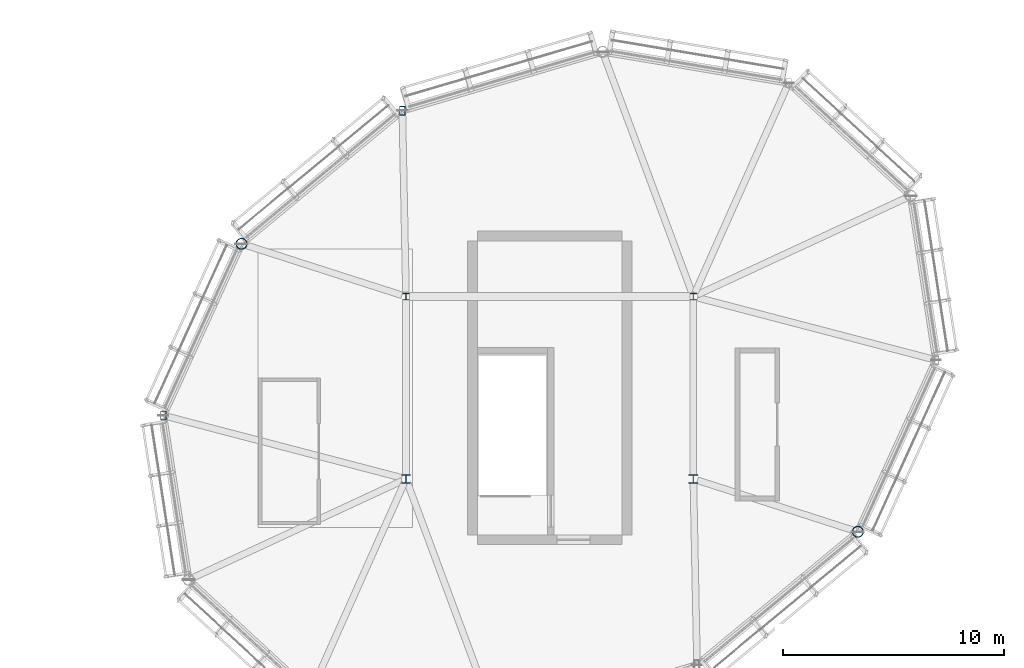
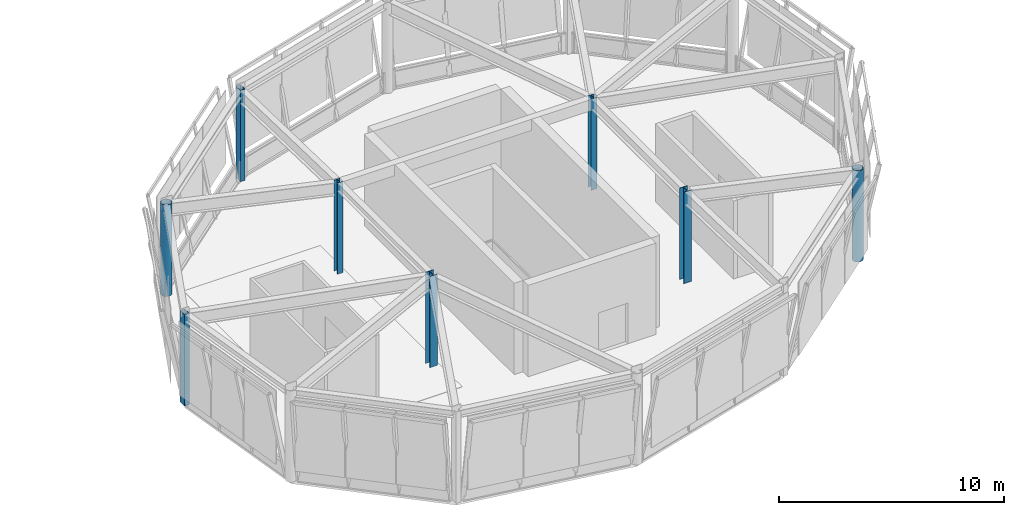
# One storey, part 12 of 113: 8 columns.
"""IFC4 building model written with IfcOpenShell, lengths in metres."""

from ifc_helpers import new_model, si_unit, direction, frame, origin, origin_2d, place, context, subcontext, project, spatial, hollow_rectangle, hollow_circle, i_section, extrude, material, material_profile, profile_set, type_object, element, save


model = new_model("IFC4")

# Units and contexts
model_context = context("Model", 3, precision=1e-05, world=origin(), true_north=direction((0.0, 1.0)))
body_context = subcontext(model_context, "Body", "Model", "MODEL_VIEW")
ifc_project = project(units=[si_unit("LENGTHUNIT", "METRE"), si_unit("AREAUNIT", "SQUARE_METRE"), si_unit("VOLUMEUNIT", "CUBIC_METRE"), si_unit("PLANEANGLEUNIT", "RADIAN"), si_unit("MASSUNIT", "GRAM", prefix="KILO")], contexts=[model_context])

# Site, building, storey
site_placement = place(None, origin())
site = spatial("IfcSite", under=ifc_project, at=site_placement, CompositionType="ELEMENT")
building_placement = place(site_placement, origin())
building = spatial("IfcBuilding", under=site, at=building_placement, Name="Linyun Crest Stadium", CompositionType="ELEMENT")
storey_placement = place(building_placement, frame((0.0, 0.0, 26.39990234375)))
storey = spatial("IfcBuildingStorey", under=building, at=storey_placement, Name="L06", CompositionType="ELEMENT", Elevation=26.39990234375)

# Columns
ifc_material_1 = material(Name="Steel Q355C", Category="steel")
ifc_material_profile_1 = material_profile(ifc_material_1, i_section(OverallWidth=0.39990234375, OverallDepth=0.39990234375, WebThickness=0.012939453125, FlangeThickness=0.02099609375, at=origin_2d()), Name="HW 400x400")
ifc_profile_set_1 = profile_set([ifc_material_profile_1], Name="Steel Q355C")
column_type_1 = type_object("IfcColumnType", Name="SC02", PredefinedType="COLUMN", material=ifc_profile_set_1)
for number, where, z_axis, x_axis, name in (
    (1, (67.0, 80.5, 0.0), (0.0, 0.0, 1.0), (1.0, 0.0, 0.0), "Column SC02 L06 828"),
    (2, (80.0, 80.5, 0.0), (0.0, 0.0, 1.0), (1.0, 0.0, 0.0), "Column SC02 L06 835"),
):
    element("IfcColumn", number, at=place(storey_placement, frame(where, z_axis=z_axis, x_axis=x_axis)), inside=storey, type_object=column_type_1, Name=name, PredefinedType="COLUMN", context=body_context, shape_type="SweptSolid", body=[
        extrude(i_section(OverallWidth=0.39990234375, OverallDepth=0.39990234375, WebThickness=0.012939453125, FlangeThickness=0.02099609375, at=origin_2d()), origin(), (0.0, 0.0, 1.0), 4.945068359375),
    ])
ifc_material_2 = material(Name="Steel Q355C", Category="steel")
ifc_material_profile_2 = material_profile(ifc_material_2, hollow_circle(Radius=0.25390625, WallThickness=0.02490234375, at=origin_2d()), Name="CHS 508x25")
ifc_profile_set_2 = profile_set([ifc_material_profile_2], Name="Steel Q355C")
column_type_2 = type_object("IfcColumnType", Name="SC05", PredefinedType="COLUMN", material=ifc_profile_set_2)
for number, where, z_axis, x_axis, name in (
    (3, (59.55908203125, 91.139892578125, 0.0), (0.0, 0.0, 1.0), (1.0, 0.0, 0.0), "Pod perimeter column SC05 L06 1013"),
    (4, (87.44091796875, 78.110107421875, 0.0), (0.0, 0.0, 1.0), (1.0, 0.0, 0.0), "Pod perimeter column SC05 L06 1037"),
):
    element("IfcColumn", number, at=place(storey_placement, frame(where, z_axis=z_axis, x_axis=x_axis)), inside=storey, type_object=column_type_2, Name=name, PredefinedType="COLUMN", context=body_context, shape_type="SweptSolid", body=[
        extrude(hollow_circle(Radius=0.25390625, WallThickness=0.02490234375, at=origin_2d()), origin(), (0.0, 0.0, 1.0), 4.945068359375),
    ])
ifc_material_3 = material(Name="Steel Q355C", Category="steel")
ifc_material_profile_3 = material_profile(ifc_material_3, hollow_rectangle(XDim=0.25, YDim=0.39990234375, WallThickness=0.01611328125, at=origin_2d()), Name="RHS 400x250x16")
ifc_profile_set_3 = profile_set([ifc_material_profile_3], Name="Steel Q355C")
column_type_3 = type_object("IfcColumnType", Name="SC06", PredefinedType="COLUMN", material=ifc_profile_set_3)
for number, where, z_axis, x_axis, name in (
    (5, (66.833984375, 97.1630859375, 0.0), (0.0, 0.0, 1.0), (1.0, 0.0, 0.0), "Pod perimeter column SC06 L06 1009"),
    (6, (56.02099609375, 83.3720703125, 0.0), (0.0, 0.0, 1.0), (1.0, 0.0, 0.0), "Pod perimeter column SC06 L06 1017"),
):
    element("IfcColumn", number, at=place(storey_placement, frame(where, z_axis=z_axis, x_axis=x_axis)), inside=storey, type_object=column_type_3, Name=name, PredefinedType="COLUMN", context=body_context, shape_type="SweptSolid", body=[
        extrude(hollow_rectangle(XDim=0.25, YDim=0.39990234375, WallThickness=0.01611328125, at=origin_2d()), origin(), (0.0, 0.0, 1.0), 4.945068359375),
    ])
ifc_material_4 = material(Name="Steel Q355C", Category="steel")
ifc_material_profile_4 = material_profile(ifc_material_4, i_section(OverallWidth=0.300048828125, OverallDepth=0.300048828125, WebThickness=0.010009765625, FlangeThickness=0.014892578125, at=origin_2d()), Name="HW 300x300")
ifc_profile_set_4 = profile_set([ifc_material_profile_4], Name="Steel Q355C")
column_type_4 = type_object("IfcColumnType", Name="SC08", PredefinedType="COLUMN", material=ifc_profile_set_4)
for number, where, z_axis, x_axis, name in (
    (7, (67.0, 88.75, 0.0), (0.0, 0.0, 1.0), (1.0, 0.0, 0.0), "Column SC08 L06 842"),
    (8, (80.0, 88.75, 0.0), (0.0, 0.0, 1.0), (1.0, 0.0, 0.0), "Column SC08 L06 849"),
):
    element("IfcColumn", number, at=place(storey_placement, frame(where, z_axis=z_axis, x_axis=x_axis)), inside=storey, type_object=column_type_4, Name=name, PredefinedType="COLUMN", context=body_context, shape_type="SweptSolid", body=[
        extrude(i_section(OverallWidth=0.300048828125, OverallDepth=0.300048828125, WebThickness=0.010009765625, FlangeThickness=0.014892578125, at=origin_2d()), origin(), (0.0, 0.0, 1.0), 4.945068359375),
    ])

save(model, "model.ifc")
